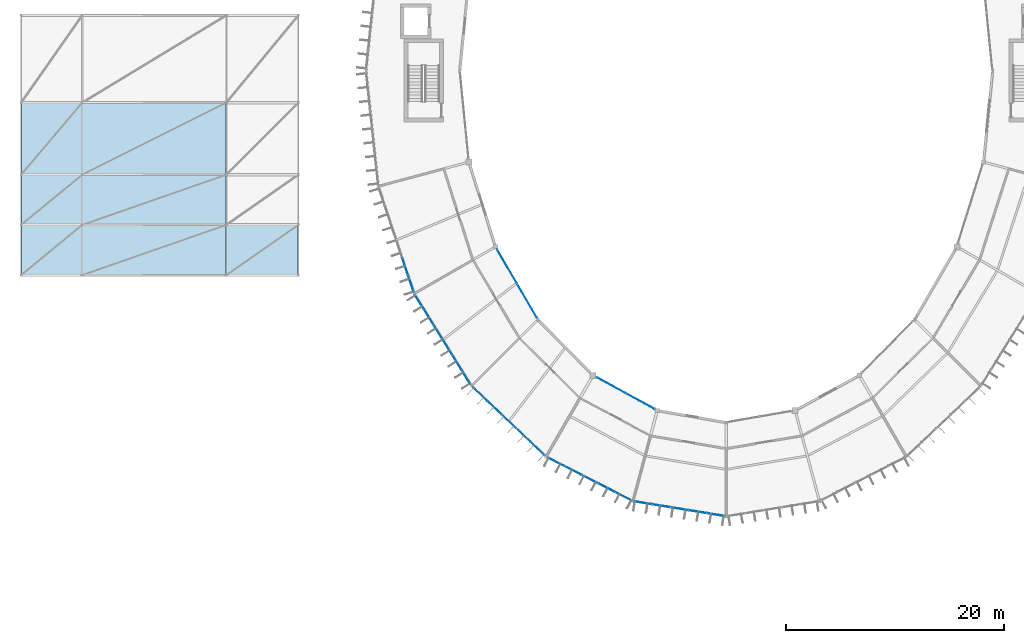
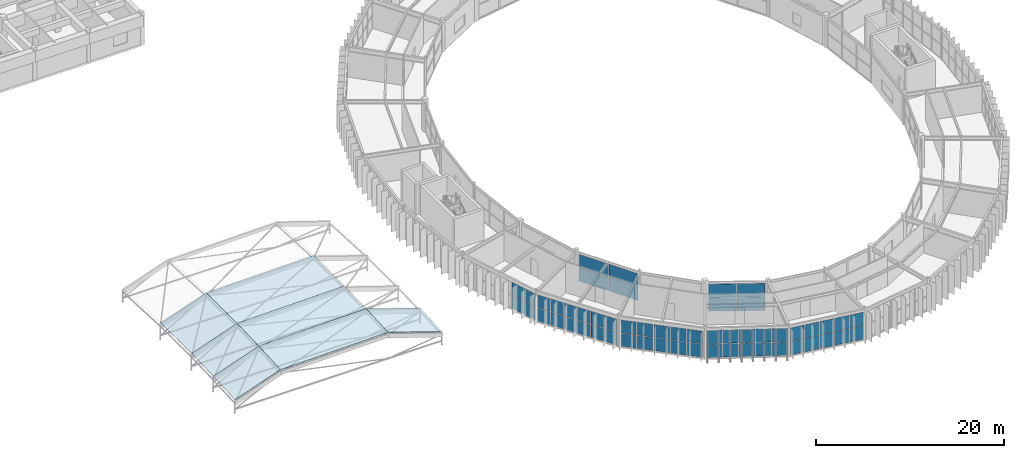
# One storey, part 93 of 134: 54 plates, 7 slabs, 7 elements without a shape of their own.
"""IFC4 building model written with IfcOpenShell, lengths in metres."""

from ifc_helpers import new_model, si_unit, direction, frame, origin, origin_2d, place, context, subcontext, project, spatial, polyline, rectangle, outline, extrude, material, layer, layer_set, type_object, element, aggregate, save


model = new_model("IFC4")

# Units and contexts
model_context = context("Model", 3, precision=1e-05, world=origin(), true_north=direction((0.0, 1.0)))
body_context = subcontext(model_context, "Body", "Model", "MODEL_VIEW")
ifc_project = project(units=[si_unit("LENGTHUNIT", "METRE"), si_unit("AREAUNIT", "SQUARE_METRE"), si_unit("VOLUMEUNIT", "CUBIC_METRE"), si_unit("PLANEANGLEUNIT", "RADIAN"), si_unit("MASSUNIT", "GRAM", prefix="KILO")], contexts=[model_context])

# Site, building, storey
site_placement = place(None, origin())
site = spatial("IfcSite", under=ifc_project, at=site_placement, CompositionType="ELEMENT")
building_placement = place(site_placement, origin())
building = spatial("IfcBuilding", under=site, at=building_placement, Name="Karori Crest Natural Sciences Institute", CompositionType="ELEMENT")
storey_placement = place(building_placement, frame((0.0, 0.0, 21.699951171875)))
storey = spatial("IfcBuildingStorey", under=building, at=storey_placement, Name="L05", CompositionType="ELEMENT", Elevation=21.699951171875)

# Curtain wall, plates
ifc_material_1 = material(Name="Anodised architectural aluminium 6063-T6", Category="aluminium")
curtain_wall_type_1 = type_object("IfcCurtainWallType", Name="CWT-15", PredefinedType="NOTDEFINED", material=ifc_material_1)
curtain_wall_1_placement = place(storey_placement, origin())
curtain_wall_1 = element("IfcCurtainWall", 1, at=curtain_wall_1_placement, inside=storey, type_object=curtain_wall_type_1, Name="Curtain wall CW-0194", PredefinedType="NOTDEFINED")
ifc_material_2 = material(Name="Double low-E laminated glass", Category="glass")
ifc_layer_1 = layer(ifc_material_2, 0.02392578125, Name="Double low-E laminated glass")
ifc_layer_set_1 = layer_set([ifc_layer_1], Name="Double low-E laminated glass")
plate_type_1 = type_object("IfcPlateType", Name="CWP-01", PredefinedType="CURTAIN_PANEL", material=ifc_layer_set_1)
plate_1_placement = place(storey_placement, frame((46.318115234375, 31.995849609375, 0.06005859375), z_axis=(0.0, 0.0, 1.0), x_axis=(0.502654910341, -0.864487154971, 0.0)))
plate_1 = element("IfcPlate", 2, at=plate_1_placement, type_object=plate_type_1, Name="CW-0194 panel 1.1", PredefinedType="CURTAIN_PANEL", context=body_context, shape_type="SweptSolid", body=[
    extrude(rectangle(XDim=3.585205078125, YDim=0.02392578125, at=origin_2d()), origin(), (0.0, 0.0, 1.0), 1.7099609375),
])
plate_2_placement = place(storey_placement, frame((46.318115234375, 31.995849609375, 1.830078125), z_axis=(0.0, 0.0, 1.0), x_axis=(0.502654910341, -0.864487154971, 0.0)))
plate_2 = element("IfcPlate", 3, at=plate_2_placement, type_object=plate_type_1, Name="CW-0194 panel 1.2", PredefinedType="CURTAIN_PANEL", context=body_context, shape_type="SweptSolid", body=[
    extrude(rectangle(XDim=3.585205078125, YDim=0.02392578125, at=origin_2d()), origin(), (0.0, 0.0, 1.0), 1.7099609375),
])
plate_3_placement = place(storey_placement, frame((48.15283203125, 28.84033203125, 0.06005859375), z_axis=(0.0, 0.0, 1.0), x_axis=(0.502654910341, -0.864487154971, 0.0)))
plate_3 = element("IfcPlate", 4, at=plate_3_placement, type_object=plate_type_1, Name="CW-0194 panel 2.1", PredefinedType="CURTAIN_PANEL", context=body_context, shape_type="SweptSolid", body=[
    extrude(rectangle(XDim=3.585205078125, YDim=0.02392578125, at=origin_2d()), origin(), (0.0, 0.0, 1.0), 1.7099609375),
])
plate_4_placement = place(storey_placement, frame((48.15283203125, 28.84033203125, 1.830078125), z_axis=(0.0, 0.0, 1.0), x_axis=(0.502654910341, -0.864487154971, 0.0)))
plate_4 = element("IfcPlate", 5, at=plate_4_placement, type_object=plate_type_1, Name="CW-0194 panel 2.2", PredefinedType="CURTAIN_PANEL", context=body_context, shape_type="SweptSolid", body=[
    extrude(rectangle(XDim=3.585205078125, YDim=0.02392578125, at=origin_2d()), origin(), (0.0, 0.0, 1.0), 1.7099609375),
])
aggregate(curtain_wall_1, [plate_1, plate_2, plate_3, plate_4])

curtain_wall_type_2 = type_object("IfcCurtainWallType", Name="CWT-06", PredefinedType="NOTDEFINED", material=ifc_material_1)
curtain_wall_2_placement = place(storey_placement, origin())
curtain_wall_2 = element("IfcCurtainWall", 6, at=curtain_wall_2_placement, inside=storey, type_object=curtain_wall_type_2, Name="Curtain wall CW-0195", PredefinedType="NOTDEFINED")
plate_5_placement = place(storey_placement, frame((49.1044921875, 15.321044921875, 0.06005859375), z_axis=(0.0, 0.0, 1.0), x_axis=(-0.725471459192, 0.688252251648, 0.0)))
plate_5 = element("IfcPlate", 7, at=plate_5_placement, type_object=plate_type_1, Name="CW-0195 panel 1.1", PredefinedType="CURTAIN_PANEL", context=body_context, shape_type="SweptSolid", body=[
    extrude(rectangle(XDim=1.717041015625, YDim=0.02392578125, at=origin_2d()), origin(), (0.0, 0.0, 1.0), 1.672607421875),
])
plate_6_placement = place(storey_placement, frame((49.1044921875, 15.321044921875, 1.79248046875), z_axis=(0.0, 0.0, 1.0), x_axis=(-0.725471459192, 0.688252251648, 0.0)))
plate_6 = element("IfcPlate", 8, at=plate_6_placement, type_object=plate_type_1, Name="CW-0195 panel 1.2", PredefinedType="CURTAIN_PANEL", context=body_context, shape_type="SweptSolid", body=[
    extrude(rectangle(XDim=1.717041015625, YDim=0.02392578125, at=origin_2d()), origin(), (0.0, 0.0, 1.0), 1.672607421875),
])
plate_7_placement = place(storey_placement, frame((47.799560546875, 16.55859375, 0.06005859375), z_axis=(0.0, 0.0, 1.0), x_axis=(-0.725471459192, 0.688252251648, 0.0)))
plate_7 = element("IfcPlate", 9, at=plate_7_placement, type_object=plate_type_1, Name="CW-0195 panel 2.1", PredefinedType="CURTAIN_PANEL", context=body_context, shape_type="SweptSolid", body=[
    extrude(rectangle(XDim=1.749755859375, YDim=0.02392578125, at=origin_2d()), origin(), (0.0, 0.0, 1.0), 1.672607421875),
])
plate_8_placement = place(storey_placement, frame((47.799560546875, 16.55859375, 1.79248046875), z_axis=(0.0, 0.0, 1.0), x_axis=(-0.725471459192, 0.688252251648, 0.0)))
plate_8 = element("IfcPlate", 10, at=plate_8_placement, type_object=plate_type_1, Name="CW-0195 panel 2.2", PredefinedType="CURTAIN_PANEL", context=body_context, shape_type="SweptSolid", body=[
    extrude(rectangle(XDim=1.749755859375, YDim=0.02392578125, at=origin_2d()), origin(), (0.0, 0.0, 1.0), 1.672607421875),
])
plate_9_placement = place(storey_placement, frame((46.483154296875, 17.8076171875, 0.06005859375), z_axis=(0.0, 0.0, 1.0), x_axis=(-0.725471459192, 0.688252251648, 0.0)))
plate_9 = element("IfcPlate", 11, at=plate_9_placement, type_object=plate_type_1, Name="CW-0195 panel 3.1", PredefinedType="CURTAIN_PANEL", context=body_context, shape_type="SweptSolid", body=[
    extrude(rectangle(XDim=1.749755859375, YDim=0.02392578125, at=origin_2d()), origin(), (0.0, 0.0, 1.0), 1.672607421875),
])
plate_10_placement = place(storey_placement, frame((46.483154296875, 17.8076171875, 1.79248046875), z_axis=(0.0, 0.0, 1.0), x_axis=(-0.725471459192, 0.688252251648, 0.0)))
plate_10 = element("IfcPlate", 12, at=plate_10_placement, type_object=plate_type_1, Name="CW-0195 panel 3.2", PredefinedType="CURTAIN_PANEL", context=body_context, shape_type="SweptSolid", body=[
    extrude(rectangle(XDim=1.749755859375, YDim=0.02392578125, at=origin_2d()), origin(), (0.0, 0.0, 1.0), 1.672607421875),
])
plate_11_placement = place(storey_placement, frame((45.166748046875, 19.056640625, 0.06005859375), z_axis=(0.0, 0.0, 1.0), x_axis=(-0.725471459192, 0.688252251648, 0.0)))
plate_11 = element("IfcPlate", 13, at=plate_11_placement, type_object=plate_type_1, Name="CW-0195 panel 4.1", PredefinedType="CURTAIN_PANEL", context=body_context, shape_type="SweptSolid", body=[
    extrude(rectangle(XDim=1.749755859375, YDim=0.02392578125, at=origin_2d()), origin(), (0.0, 0.0, 1.0), 1.672607421875),
])
plate_12_placement = place(storey_placement, frame((45.166748046875, 19.056640625, 1.79248046875), z_axis=(0.0, 0.0, 1.0), x_axis=(-0.725471459192, 0.688252251648, 0.0)))
plate_12 = element("IfcPlate", 14, at=plate_12_placement, type_object=plate_type_1, Name="CW-0195 panel 4.2", PredefinedType="CURTAIN_PANEL", context=body_context, shape_type="SweptSolid", body=[
    extrude(rectangle(XDim=1.749755859375, YDim=0.02392578125, at=origin_2d()), origin(), (0.0, 0.0, 1.0), 1.672607421875),
])
plate_13_placement = place(storey_placement, frame((43.862060546875, 20.29443359375, 0.06005859375), z_axis=(0.0, 0.0, 1.0), x_axis=(-0.725471459192, 0.688252251648, 0.0)))
plate_13 = element("IfcPlate", 15, at=plate_13_placement, type_object=plate_type_1, Name="CW-0195 panel 5.1", PredefinedType="CURTAIN_PANEL", context=body_context, shape_type="SweptSolid", body=[
    extrude(rectangle(XDim=1.717041015625, YDim=0.02392578125, at=origin_2d()), origin(), (0.0, 0.0, 1.0), 1.672607421875),
])
plate_14_placement = place(storey_placement, frame((43.862060546875, 20.29443359375, 1.79248046875), z_axis=(0.0, 0.0, 1.0), x_axis=(-0.725471459192, 0.688252251648, 0.0)))
plate_14 = element("IfcPlate", 16, at=plate_14_placement, type_object=plate_type_1, Name="CW-0195 panel 5.2", PredefinedType="CURTAIN_PANEL", context=body_context, shape_type="SweptSolid", body=[
    extrude(rectangle(XDim=1.717041015625, YDim=0.02392578125, at=origin_2d()), origin(), (0.0, 0.0, 1.0), 1.672607421875),
])
aggregate(curtain_wall_2, [plate_5, plate_6, plate_7, plate_8, plate_9, plate_10, plate_11, plate_12, plate_13, plate_14])

curtain_wall_type_3 = type_object("IfcCurtainWallType", Name="CWT-12", PredefinedType="NOTDEFINED", material=ifc_material_1)
curtain_wall_3_placement = place(storey_placement, origin())
curtain_wall_3 = element("IfcCurtainWall", 17, at=curtain_wall_3_placement, inside=storey, type_object=curtain_wall_type_3, Name="Curtain wall CW-0197", PredefinedType="NOTDEFINED")
plate_15_placement = place(storey_placement, frame((55.8408203125, 21.116943359375, 0.06005859375), z_axis=(0.0, 0.0, 1.0), x_axis=(0.877470277057, -0.479631017431, 0.0)))
plate_15 = element("IfcPlate", 18, at=plate_15_placement, type_object=plate_type_1, Name="CW-0197 panel 1.1", PredefinedType="CURTAIN_PANEL", context=body_context, shape_type="SweptSolid", body=[
    extrude(rectangle(XDim=2.987060546875, YDim=0.02392578125, at=origin_2d()), origin(), (0.0, 0.0, 1.0), 1.735107421875),
])
plate_16_placement = place(storey_placement, frame((55.8408203125, 21.116943359375, 1.85498046875), z_axis=(0.0, 0.0, 1.0), x_axis=(0.877470277057, -0.479631017431, 0.0)))
plate_16 = element("IfcPlate", 19, at=plate_16_placement, type_object=plate_type_1, Name="CW-0197 panel 1.2", PredefinedType="CURTAIN_PANEL", context=body_context, shape_type="SweptSolid", body=[
    extrude(rectangle(XDim=2.987060546875, YDim=0.02392578125, at=origin_2d()), origin(), (0.0, 0.0, 1.0), 1.735107421875),
])
plate_17_placement = place(storey_placement, frame((58.51904296875, 19.653076171875, 0.06005859375), z_axis=(0.0, 0.0, 1.0), x_axis=(0.877470277057, -0.479631017431, 0.0)))
plate_17 = element("IfcPlate", 20, at=plate_17_placement, type_object=plate_type_1, Name="CW-0197 panel 2.1", PredefinedType="CURTAIN_PANEL", context=body_context, shape_type="SweptSolid", body=[
    extrude(rectangle(XDim=2.987060546875, YDim=0.02392578125, at=origin_2d()), origin(), (0.0, 0.0, 1.0), 1.735107421875),
])
plate_18_placement = place(storey_placement, frame((58.51904296875, 19.653076171875, 1.85498046875), z_axis=(0.0, 0.0, 1.0), x_axis=(0.877470277057, -0.479631017431, 0.0)))
plate_18 = element("IfcPlate", 21, at=plate_18_placement, type_object=plate_type_1, Name="CW-0197 panel 2.2", PredefinedType="CURTAIN_PANEL", context=body_context, shape_type="SweptSolid", body=[
    extrude(rectangle(XDim=2.987060546875, YDim=0.02392578125, at=origin_2d()), origin(), (0.0, 0.0, 1.0), 1.735107421875),
])
aggregate(curtain_wall_3, [plate_15, plate_16, plate_17, plate_18])

curtain_wall_type_4 = type_object("IfcCurtainWallType", Name="CWT-04", PredefinedType="NOTDEFINED", material=ifc_material_1)
curtain_wall_4_placement = place(storey_placement, origin())
curtain_wall_4 = element("IfcCurtainWall", 22, at=curtain_wall_4_placement, inside=storey, type_object=curtain_wall_type_4, Name="Curtain wall CW-0192", PredefinedType="NOTDEFINED")
ifc_layer_2 = layer(ifc_material_2, 0.033935546875, Name="Double low-E laminated glass")
ifc_layer_set_2 = layer_set([ifc_layer_2], Name="Double low-E laminated glass")
plate_type_2 = type_object("IfcPlateType", Name="CWP-02", PredefinedType="CURTAIN_PANEL", material=ifc_layer_set_2)
plate_19_placement = place(storey_placement, frame((37.5205078125, 30.3974609375, 0.06005859375), z_axis=(0.0, 0.0, 1.0), x_axis=(-0.317679803392, 0.94819805026, 0.0)))
plate_19 = element("IfcPlate", 23, at=plate_19_placement, type_object=plate_type_2, Name="CW-0192 panel 1.1", PredefinedType="CURTAIN_PANEL", context=body_context, shape_type="SweptSolid", body=[
    extrude(rectangle(XDim=1.59619140625, YDim=0.033935546875, at=origin_2d()), origin(), (0.0, 0.0, 1.0), 1.672607421875),
])
plate_20_placement = place(storey_placement, frame((37.5205078125, 30.3974609375, 1.79248046875), z_axis=(0.0, 0.0, 1.0), x_axis=(-0.317679803392, 0.94819805026, 0.0)))
plate_20 = element("IfcPlate", 24, at=plate_20_placement, type_object=plate_type_2, Name="CW-0192 panel 1.2", PredefinedType="CURTAIN_PANEL", context=body_context, shape_type="SweptSolid", body=[
    extrude(rectangle(XDim=1.59619140625, YDim=0.033935546875, at=origin_2d()), origin(), (0.0, 0.0, 1.0), 1.672607421875),
])
plate_21_placement = place(storey_placement, frame((36.987548828125, 31.988037109375, 0.06005859375), z_axis=(0.0, 0.0, 1.0), x_axis=(-0.317679803392, 0.94819805026, 0.0)))
plate_21 = element("IfcPlate", 25, at=plate_21_placement, type_object=plate_type_2, Name="CW-0192 panel 2.1", PredefinedType="CURTAIN_PANEL", context=body_context, shape_type="SweptSolid", body=[
    extrude(rectangle(XDim=1.628662109375, YDim=0.033935546875, at=origin_2d()), origin(), (0.0, 0.0, 1.0), 1.672607421875),
])
plate_22_placement = place(storey_placement, frame((36.987548828125, 31.988037109375, 1.79248046875), z_axis=(0.0, 0.0, 1.0), x_axis=(-0.317679803392, 0.94819805026, 0.0)))
plate_22 = element("IfcPlate", 26, at=plate_22_placement, type_object=plate_type_2, Name="CW-0192 panel 2.2", PredefinedType="CURTAIN_PANEL", context=body_context, shape_type="SweptSolid", body=[
    extrude(rectangle(XDim=1.628662109375, YDim=0.033935546875, at=origin_2d()), origin(), (0.0, 0.0, 1.0), 1.672607421875),
])
aggregate(curtain_wall_4, [plate_19, plate_20, plate_21, plate_22])

curtain_wall_type_5 = type_object("IfcCurtainWallType", Name="CWT-07", PredefinedType="NOTDEFINED", material=ifc_material_1)
curtain_wall_5_placement = place(storey_placement, origin())
curtain_wall_5 = element("IfcCurtainWall", 27, at=curtain_wall_5_placement, inside=storey, type_object=curtain_wall_type_5, Name="Curtain wall CW-0196", PredefinedType="NOTDEFINED")
plate_23_placement = place(storey_placement, frame((56.993408203125, 10.933349609375, 0.06494140625), z_axis=(0.0, 0.0, 1.0), x_axis=(-0.890067432138, 0.455828878252, 0.0)))
plate_23 = element("IfcPlate", 28, at=plate_23_placement, type_object=plate_type_2, Name="CW-0196 panel 1.1", PredefinedType="CURTAIN_PANEL", context=body_context, shape_type="SweptSolid", body=[
    extrude(rectangle(XDim=1.645751953125, YDim=0.033935546875, at=origin_2d()), origin(), (0.0, 0.0, 1.0), 1.715087890625),
])
plate_24_placement = place(storey_placement, frame((56.993408203125, 10.933349609375, 1.84521484375), z_axis=(0.0, 0.0, 1.0), x_axis=(-0.890067432138, 0.455828878252, 0.0)))
plate_24 = element("IfcPlate", 29, at=plate_24_placement, type_object=plate_type_2, Name="CW-0196 panel 1.2", PredefinedType="CURTAIN_PANEL", context=body_context, shape_type="SweptSolid", body=[
    extrude(rectangle(XDim=1.645751953125, YDim=0.033935546875, at=origin_2d()), origin(), (0.0, 0.0, 1.0), 1.715087890625),
])
plate_25_placement = place(storey_placement, frame((55.456298828125, 11.720703125, 0.06494140625), z_axis=(0.0, 0.0, 1.0), x_axis=(-0.890067432138, 0.455828878252, 0.0)))
plate_25 = element("IfcPlate", 30, at=plate_25_placement, type_object=plate_type_2, Name="CW-0196 panel 2.1", PredefinedType="CURTAIN_PANEL", context=body_context, shape_type="SweptSolid", body=[
    extrude(rectangle(XDim=1.678466796875, YDim=0.033935546875, at=origin_2d()), origin(), (0.0, 0.0, 1.0), 1.715087890625),
])
plate_26_placement = place(storey_placement, frame((55.456298828125, 11.720703125, 1.84521484375), z_axis=(0.0, 0.0, 1.0), x_axis=(-0.890067432138, 0.455828878252, 0.0)))
plate_26 = element("IfcPlate", 31, at=plate_26_placement, type_object=plate_type_2, Name="CW-0196 panel 2.2", PredefinedType="CURTAIN_PANEL", context=body_context, shape_type="SweptSolid", body=[
    extrude(rectangle(XDim=1.678466796875, YDim=0.033935546875, at=origin_2d()), origin(), (0.0, 0.0, 1.0), 1.715087890625),
])
plate_27_placement = place(storey_placement, frame((53.904541015625, 12.515380859375, 0.06494140625), z_axis=(0.0, 0.0, 1.0), x_axis=(-0.890067432138, 0.455828878252, 0.0)))
plate_27 = element("IfcPlate", 32, at=plate_27_placement, type_object=plate_type_2, Name="CW-0196 panel 3.1", PredefinedType="CURTAIN_PANEL", context=body_context, shape_type="SweptSolid", body=[
    extrude(rectangle(XDim=1.678466796875, YDim=0.033935546875, at=origin_2d()), origin(), (0.0, 0.0, 1.0), 1.715087890625),
])
plate_28_placement = place(storey_placement, frame((53.904541015625, 12.515380859375, 1.84521484375), z_axis=(0.0, 0.0, 1.0), x_axis=(-0.890067432138, 0.455828878252, 0.0)))
plate_28 = element("IfcPlate", 33, at=plate_28_placement, type_object=plate_type_2, Name="CW-0196 panel 3.2", PredefinedType="CURTAIN_PANEL", context=body_context, shape_type="SweptSolid", body=[
    extrude(rectangle(XDim=1.678466796875, YDim=0.033935546875, at=origin_2d()), origin(), (0.0, 0.0, 1.0), 1.715087890625),
])
plate_29_placement = place(storey_placement, frame((52.352783203125, 13.31005859375, 0.06494140625), z_axis=(0.0, 0.0, 1.0), x_axis=(-0.890067432138, 0.455828878252, 0.0)))
plate_29 = element("IfcPlate", 34, at=plate_29_placement, type_object=plate_type_2, Name="CW-0196 panel 4.1", PredefinedType="CURTAIN_PANEL", context=body_context, shape_type="SweptSolid", body=[
    extrude(rectangle(XDim=1.678466796875, YDim=0.033935546875, at=origin_2d()), origin(), (0.0, 0.0, 1.0), 1.715087890625),
])
plate_30_placement = place(storey_placement, frame((52.352783203125, 13.31005859375, 1.84521484375), z_axis=(0.0, 0.0, 1.0), x_axis=(-0.890067432138, 0.455828878252, 0.0)))
plate_30 = element("IfcPlate", 35, at=plate_30_placement, type_object=plate_type_2, Name="CW-0196 panel 4.2", PredefinedType="CURTAIN_PANEL", context=body_context, shape_type="SweptSolid", body=[
    extrude(rectangle(XDim=1.678466796875, YDim=0.033935546875, at=origin_2d()), origin(), (0.0, 0.0, 1.0), 1.715087890625),
])
plate_31_placement = place(storey_placement, frame((50.8154296875, 14.097412109375, 0.06494140625), z_axis=(0.0, 0.0, 1.0), x_axis=(-0.890067432138, 0.455828878252, 0.0)))
plate_31 = element("IfcPlate", 36, at=plate_31_placement, type_object=plate_type_2, Name="CW-0196 panel 5.1", PredefinedType="CURTAIN_PANEL", context=body_context, shape_type="SweptSolid", body=[
    extrude(rectangle(XDim=1.645751953125, YDim=0.033935546875, at=origin_2d()), origin(), (0.0, 0.0, 1.0), 1.715087890625),
])
plate_32_placement = place(storey_placement, frame((50.8154296875, 14.097412109375, 1.84521484375), z_axis=(0.0, 0.0, 1.0), x_axis=(-0.890067432138, 0.455828878252, 0.0)))
plate_32 = element("IfcPlate", 37, at=plate_32_placement, type_object=plate_type_2, Name="CW-0196 panel 5.2", PredefinedType="CURTAIN_PANEL", context=body_context, shape_type="SweptSolid", body=[
    extrude(rectangle(XDim=1.645751953125, YDim=0.033935546875, at=origin_2d()), origin(), (0.0, 0.0, 1.0), 1.715087890625),
])
aggregate(curtain_wall_5, [plate_23, plate_24, plate_25, plate_26, plate_27, plate_28, plate_29, plate_30, plate_31, plate_32])

curtain_wall_type_6 = type_object("IfcCurtainWallType", Name="CWT-05", PredefinedType="NOTDEFINED", material=ifc_material_1)
curtain_wall_6_placement = place(storey_placement, origin())
curtain_wall_6 = element("IfcCurtainWall", 38, at=curtain_wall_6_placement, inside=storey, type_object=curtain_wall_type_6, Name="Curtain wall CW-0193", PredefinedType="NOTDEFINED")
ifc_layer_3 = layer(ifc_material_2, 0.0439453125, Name="Double low-E laminated glass")
ifc_layer_set_3 = layer_set([ifc_layer_3], Name="Double low-E laminated glass")
plate_type_3 = type_object("IfcPlateType", Name="CWP-03", PredefinedType="CURTAIN_PANEL", material=ifc_layer_set_3)
plate_33_placement = place(storey_placement, frame((42.551025390625, 21.87890625, 0.06494140625), z_axis=(0.0, 0.0, 1.0), x_axis=(-0.527327706489, 0.849661985715, 0.0)))
plate_33 = element("IfcPlate", 39, at=plate_33_placement, type_object=plate_type_3, Name="CW-0193 panel 1.1", PredefinedType="CURTAIN_PANEL", context=body_context, shape_type="SweptSolid", body=[
    extrude(rectangle(XDim=1.519287109375, YDim=0.0439453125, at=origin_2d()), origin(), (0.0, 0.0, 1.0), 1.6650390625),
])
plate_34_placement = place(storey_placement, frame((42.551025390625, 21.87890625, 1.794921875), z_axis=(0.0, 0.0, 1.0), x_axis=(-0.527327706489, 0.849661985715, 0.0)))
plate_34 = element("IfcPlate", 40, at=plate_34_placement, type_object=plate_type_3, Name="CW-0193 panel 1.2", PredefinedType="CURTAIN_PANEL", context=body_context, shape_type="SweptSolid", body=[
    extrude(rectangle(XDim=1.519287109375, YDim=0.0439453125, at=origin_2d()), origin(), (0.0, 0.0, 1.0), 1.6650390625),
])
plate_35_placement = place(storey_placement, frame((41.70703125, 23.239013671875, 0.06494140625), z_axis=(0.0, 0.0, 1.0), x_axis=(-0.527327706489, 0.849661985715, 0.0)))
plate_35 = element("IfcPlate", 41, at=plate_35_placement, type_object=plate_type_3, Name="CW-0193 panel 2.1", PredefinedType="CURTAIN_PANEL", context=body_context, shape_type="SweptSolid", body=[
    extrude(rectangle(XDim=1.5517578125, YDim=0.0439453125, at=origin_2d()), origin(), (0.0, 0.0, 1.0), 1.6650390625),
])
plate_36_placement = place(storey_placement, frame((41.70703125, 23.239013671875, 1.794921875), z_axis=(0.0, 0.0, 1.0), x_axis=(-0.527327706489, 0.849661985715, 0.0)))
plate_36 = element("IfcPlate", 42, at=plate_36_placement, type_object=plate_type_3, Name="CW-0193 panel 2.2", PredefinedType="CURTAIN_PANEL", context=body_context, shape_type="SweptSolid", body=[
    extrude(rectangle(XDim=1.5517578125, YDim=0.0439453125, at=origin_2d()), origin(), (0.0, 0.0, 1.0), 1.6650390625),
])
plate_37_placement = place(storey_placement, frame((40.8544921875, 24.612548828125, 0.06494140625), z_axis=(0.0, 0.0, 1.0), x_axis=(-0.527327706489, 0.849661985715, 0.0)))
plate_37 = element("IfcPlate", 43, at=plate_37_placement, type_object=plate_type_3, Name="CW-0193 panel 3.1", PredefinedType="CURTAIN_PANEL", context=body_context, shape_type="SweptSolid", body=[
    extrude(rectangle(XDim=1.5517578125, YDim=0.0439453125, at=origin_2d()), origin(), (0.0, 0.0, 1.0), 1.6650390625),
])
plate_38_placement = place(storey_placement, frame((40.8544921875, 24.612548828125, 1.794921875), z_axis=(0.0, 0.0, 1.0), x_axis=(-0.527327706489, 0.849661985715, 0.0)))
plate_38 = element("IfcPlate", 44, at=plate_38_placement, type_object=plate_type_3, Name="CW-0193 panel 3.2", PredefinedType="CURTAIN_PANEL", context=body_context, shape_type="SweptSolid", body=[
    extrude(rectangle(XDim=1.5517578125, YDim=0.0439453125, at=origin_2d()), origin(), (0.0, 0.0, 1.0), 1.6650390625),
])
plate_39_placement = place(storey_placement, frame((40.001953125, 25.986328125, 0.06494140625), z_axis=(0.0, 0.0, 1.0), x_axis=(-0.527327706489, 0.849661985715, 0.0)))
plate_39 = element("IfcPlate", 45, at=plate_39_placement, type_object=plate_type_3, Name="CW-0193 panel 4.1", PredefinedType="CURTAIN_PANEL", context=body_context, shape_type="SweptSolid", body=[
    extrude(rectangle(XDim=1.5517578125, YDim=0.0439453125, at=origin_2d()), origin(), (0.0, 0.0, 1.0), 1.6650390625),
])
plate_40_placement = place(storey_placement, frame((40.001953125, 25.986328125, 1.794921875), z_axis=(0.0, 0.0, 1.0), x_axis=(-0.527327706489, 0.849661985715, 0.0)))
plate_40 = element("IfcPlate", 46, at=plate_40_placement, type_object=plate_type_3, Name="CW-0193 panel 4.2", PredefinedType="CURTAIN_PANEL", context=body_context, shape_type="SweptSolid", body=[
    extrude(rectangle(XDim=1.5517578125, YDim=0.0439453125, at=origin_2d()), origin(), (0.0, 0.0, 1.0), 1.6650390625),
])
plate_41_placement = place(storey_placement, frame((39.149169921875, 27.360107421875, 0.06494140625), z_axis=(0.0, 0.0, 1.0), x_axis=(-0.527327706489, 0.849661985715, 0.0)))
plate_41 = element("IfcPlate", 47, at=plate_41_placement, type_object=plate_type_3, Name="CW-0193 panel 5.1", PredefinedType="CURTAIN_PANEL", context=body_context, shape_type="SweptSolid", body=[
    extrude(rectangle(XDim=1.5517578125, YDim=0.0439453125, at=origin_2d()), origin(), (0.0, 0.0, 1.0), 1.6650390625),
])
plate_42_placement = place(storey_placement, frame((39.149169921875, 27.360107421875, 1.794921875), z_axis=(0.0, 0.0, 1.0), x_axis=(-0.527327706489, 0.849661985715, 0.0)))
plate_42 = element("IfcPlate", 48, at=plate_42_placement, type_object=plate_type_3, Name="CW-0193 panel 5.2", PredefinedType="CURTAIN_PANEL", context=body_context, shape_type="SweptSolid", body=[
    extrude(rectangle(XDim=1.5517578125, YDim=0.0439453125, at=origin_2d()), origin(), (0.0, 0.0, 1.0), 1.6650390625),
])
plate_43_placement = place(storey_placement, frame((38.30517578125, 28.719970703125, 0.06494140625), z_axis=(0.0, 0.0, 1.0), x_axis=(-0.527327706489, 0.849661985715, 0.0)))
plate_43 = element("IfcPlate", 49, at=plate_43_placement, type_object=plate_type_3, Name="CW-0193 panel 6.1", PredefinedType="CURTAIN_PANEL", context=body_context, shape_type="SweptSolid", body=[
    extrude(rectangle(XDim=1.519287109375, YDim=0.0439453125, at=origin_2d()), origin(), (0.0, 0.0, 1.0), 1.6650390625),
])
plate_44_placement = place(storey_placement, frame((38.30517578125, 28.719970703125, 1.794921875), z_axis=(0.0, 0.0, 1.0), x_axis=(-0.527327706489, 0.849661985715, 0.0)))
plate_44 = element("IfcPlate", 50, at=plate_44_placement, type_object=plate_type_3, Name="CW-0193 panel 6.2", PredefinedType="CURTAIN_PANEL", context=body_context, shape_type="SweptSolid", body=[
    extrude(rectangle(XDim=1.519287109375, YDim=0.0439453125, at=origin_2d()), origin(), (0.0, 0.0, 1.0), 1.6650390625),
])
aggregate(curtain_wall_6, [plate_33, plate_34, plate_35, plate_36, plate_37, plate_38, plate_39, plate_40, plate_41, plate_42, plate_43, plate_44])

curtain_wall_type_7 = type_object("IfcCurtainWallType", Name="CWT-08", PredefinedType="NOTDEFINED", material=ifc_material_1)
curtain_wall_7_placement = place(storey_placement, origin())
curtain_wall_7 = element("IfcCurtainWall", 51, at=curtain_wall_7_placement, inside=storey, type_object=curtain_wall_type_7, Name="Curtain wall CW-0198", PredefinedType="NOTDEFINED")
plate_45_placement = place(storey_placement, frame((65.424072265625, 9.2587890625, 0.06005859375), z_axis=(0.0, 0.0, 1.0), x_axis=(-0.987010543275, 0.160655493101, 0.0)))
plate_45 = element("IfcPlate", 52, at=plate_45_placement, type_object=plate_type_3, Name="CW-0198 panel 1.1", PredefinedType="CURTAIN_PANEL", context=body_context, shape_type="SweptSolid", body=[
    extrude(rectangle(XDim=1.592529296875, YDim=0.0439453125, at=origin_2d()), origin(), (0.0, 0.0, 1.0), 1.722412109375),
])
plate_46_placement = place(storey_placement, frame((65.424072265625, 9.2587890625, 1.8427734375), z_axis=(0.0, 0.0, 1.0), x_axis=(-0.987010543275, 0.160655493101, 0.0)))
plate_46 = element("IfcPlate", 53, at=plate_46_placement, type_object=plate_type_3, Name="CW-0198 panel 1.2", PredefinedType="CURTAIN_PANEL", context=body_context, shape_type="SweptSolid", body=[
    extrude(rectangle(XDim=1.592529296875, YDim=0.0439453125, at=origin_2d()), origin(), (0.0, 0.0, 1.0), 1.722412109375),
])
plate_47_placement = place(storey_placement, frame((63.77197265625, 9.52783203125, 0.06005859375), z_axis=(0.0, 0.0, 1.0), x_axis=(-0.987010543275, 0.160655493101, 0.0)))
plate_47 = element("IfcPlate", 54, at=plate_47_placement, type_object=plate_type_3, Name="CW-0198 panel 2.1", PredefinedType="CURTAIN_PANEL", context=body_context, shape_type="SweptSolid", body=[
    extrude(rectangle(XDim=1.625, YDim=0.0439453125, at=origin_2d()), origin(), (0.0, 0.0, 1.0), 1.722412109375),
])
plate_48_placement = place(storey_placement, frame((63.77197265625, 9.52783203125, 1.8427734375), z_axis=(0.0, 0.0, 1.0), x_axis=(-0.987010543275, 0.160655493101, 0.0)))
plate_48 = element("IfcPlate", 55, at=plate_48_placement, type_object=plate_type_3, Name="CW-0198 panel 2.2", PredefinedType="CURTAIN_PANEL", context=body_context, shape_type="SweptSolid", body=[
    extrude(rectangle(XDim=1.625, YDim=0.0439453125, at=origin_2d()), origin(), (0.0, 0.0, 1.0), 1.722412109375),
])
plate_49_placement = place(storey_placement, frame((62.10400390625, 9.79931640625, 0.06005859375), z_axis=(0.0, 0.0, 1.0), x_axis=(-0.987010543275, 0.160655493101, 0.0)))
plate_49 = element("IfcPlate", 56, at=plate_49_placement, type_object=plate_type_3, Name="CW-0198 panel 3.1", PredefinedType="CURTAIN_PANEL", context=body_context, shape_type="SweptSolid", body=[
    extrude(rectangle(XDim=1.625, YDim=0.0439453125, at=origin_2d()), origin(), (0.0, 0.0, 1.0), 1.722412109375),
])
plate_50_placement = place(storey_placement, frame((62.10400390625, 9.79931640625, 1.8427734375), z_axis=(0.0, 0.0, 1.0), x_axis=(-0.987010543275, 0.160655493101, 0.0)))
plate_50 = element("IfcPlate", 57, at=plate_50_placement, type_object=plate_type_3, Name="CW-0198 panel 3.2", PredefinedType="CURTAIN_PANEL", context=body_context, shape_type="SweptSolid", body=[
    extrude(rectangle(XDim=1.625, YDim=0.0439453125, at=origin_2d()), origin(), (0.0, 0.0, 1.0), 1.722412109375),
])
plate_51_placement = place(storey_placement, frame((60.43603515625, 10.07080078125, 0.06005859375), z_axis=(0.0, 0.0, 1.0), x_axis=(-0.987010543275, 0.160655493101, 0.0)))
plate_51 = element("IfcPlate", 58, at=plate_51_placement, type_object=plate_type_3, Name="CW-0198 panel 4.1", PredefinedType="CURTAIN_PANEL", context=body_context, shape_type="SweptSolid", body=[
    extrude(rectangle(XDim=1.625, YDim=0.0439453125, at=origin_2d()), origin(), (0.0, 0.0, 1.0), 1.722412109375),
])
plate_52_placement = place(storey_placement, frame((60.43603515625, 10.07080078125, 1.8427734375), z_axis=(0.0, 0.0, 1.0), x_axis=(-0.987010543275, 0.160655493101, 0.0)))
plate_52 = element("IfcPlate", 59, at=plate_52_placement, type_object=plate_type_3, Name="CW-0198 panel 4.2", PredefinedType="CURTAIN_PANEL", context=body_context, shape_type="SweptSolid", body=[
    extrude(rectangle(XDim=1.625, YDim=0.0439453125, at=origin_2d()), origin(), (0.0, 0.0, 1.0), 1.722412109375),
])
plate_53_placement = place(storey_placement, frame((58.783935546875, 10.339599609375, 0.06005859375), z_axis=(0.0, 0.0, 1.0), x_axis=(-0.987010543275, 0.160655493101, 0.0)))
plate_53 = element("IfcPlate", 60, at=plate_53_placement, type_object=plate_type_3, Name="CW-0198 panel 5.1", PredefinedType="CURTAIN_PANEL", context=body_context, shape_type="SweptSolid", body=[
    extrude(rectangle(XDim=1.592529296875, YDim=0.0439453125, at=origin_2d()), origin(), (0.0, 0.0, 1.0), 1.722412109375),
])
plate_54_placement = place(storey_placement, frame((58.783935546875, 10.339599609375, 1.8427734375), z_axis=(0.0, 0.0, 1.0), x_axis=(-0.987010543275, 0.160655493101, 0.0)))
plate_54 = element("IfcPlate", 61, at=plate_54_placement, type_object=plate_type_3, Name="CW-0198 panel 5.2", PredefinedType="CURTAIN_PANEL", context=body_context, shape_type="SweptSolid", body=[
    extrude(rectangle(XDim=1.592529296875, YDim=0.0439453125, at=origin_2d()), origin(), (0.0, 0.0, 1.0), 1.722412109375),
])
aggregate(curtain_wall_7, [plate_45, plate_46, plate_47, plate_48, plate_49, plate_50, plate_51, plate_52, plate_53, plate_54])

# Slabs
ifc_material_3 = material(Name="Glulam GL12 insulated roof panel", Category="wood")
ifc_layer_4 = layer(ifc_material_3, 0.1201171875, Name="Glulam GL12 insulated roof panel")
ifc_layer_set_4 = layer_set([ifc_layer_4], Name="Glulam GL12 insulated roof panel")
slab_type = type_object("IfcSlabType", Name="SLT-15", PredefinedType="ROOF", material=ifc_layer_set_4)
slab_1_placement = place(storey_placement, frame((1.82275390625, 31.2041015625, 1.358154296875), z_axis=(-0.32978752973, -0.052622119352, 0.942587448351), x_axis=(0.943895218511, 0.0, 0.330245085462)))
element("IfcSlab", 62, at=slab_1_placement, inside=storey, type_object=slab_type, Name="V3 Gridshell roof SL-0139", PredefinedType="ROOF", context=body_context, shape_type="SweptSolid", body=[
    extrude(outline(polyline([(0.0, 0.0), (5.884597411285281, 0.0), (5.969254964931573, 4.59816765252587), (0.08465755364629204, 4.598167652525869), (0.0, 0.0)])), origin(), (0.0, 0.0, -1.0), 0.1201171875),
])
slab_2_placement = place(storey_placement, frame((7.424072265625, 31.2041015625, 3.31005859375), z_axis=(-0.017632715786, -0.055705389739, 0.998291539025), x_axis=(0.999844048118, -5.16072e-07, 0.017660108789)))
element("IfcSlab", 63, at=slab_2_placement, inside=storey, type_object=slab_type, Name="V3 Gridshell roof SL-0140", PredefinedType="ROOF", context=body_context, shape_type="SweptSolid", body=[
    extrude(outline(polyline([(0.0, 0.0), (13.153904696187308, 3.469446951953614e-18), (13.158429453988541, 4.5989446804502), (0.004520446251236061, 4.598931082620249), (0.0, 0.0)])), origin(), (0.0, 0.0, -1.0), 0.1201171875),
])
slab_3_placement = place(storey_placement, frame((20.622802734375, 31.2041015625, 3.53515625), z_axis=(0.314799855414, -0.052906557254, 0.947682408421), x_axis=(0.94901153005, 0.0, -0.315241361232)))
element("IfcSlab", 64, at=slab_3_placement, inside=storey, type_object=slab_type, Name="V3 Gridshell roof SL-0141", PredefinedType="ROOF", context=body_context, shape_type="SweptSolid", body=[
    extrude(outline(polyline([(0.0, 0.0), (6.906600343439938, -1.3877787807814457e-17), (6.8257889593351075, 4.598236855831124), (-0.08081138410483069, 4.598236855831124), (0.0, 0.0)])), origin(), (0.0, 0.0, -1.0), 0.1201171875),
])
slab_4_placement = place(storey_placement, frame((1.82275390625, 35.803955078125, 1.61474609375), z_axis=(-0.330074536463, -0.033828941839, 0.943348505629), x_axis=(0.94388874471, 6.61985e-07, 0.330263588077)))
element("IfcSlab", 65, at=slab_4_placement, inside=storey, type_object=slab_type, Name="V3 Gridshell roof SL-0142", PredefinedType="ROOF", context=body_context, shape_type="SweptSolid", body=[
    extrude(outline(polyline([(0.0, 0.0), (5.884678040912201, 3.469446951953614e-17), (5.939026212209504, 4.594666898895747), (0.05442880205611188, 4.594674694437481), (0.0, 0.0)])), origin(), (0.0, 0.0, -1.0), 0.1201171875),
])
slab_5_placement = place(storey_placement, frame((7.424072265625, 35.803955078125, 3.566650390625), z_axis=(-0.017658051299, -0.035858396718, 0.999200864996), x_axis=(0.999843883704, 0.0, 0.017669414837)))
element("IfcSlab", 66, at=slab_5_placement, inside=storey, type_object=slab_type, Name="V3 Gridshell roof SL-0143", PredefinedType="ROOF", context=body_context, shape_type="SweptSolid", body=[
    extrude(outline(polyline([(0.0, 0.0), (13.153909008308814, 0.0), (13.156820838146505, 4.594996145450512), (0.0029118298376909976, 4.594996145450512), (0.0, 0.0)])), origin(), (0.0, 0.0, -1.0), 0.1201171875),
])
slab_6_placement = place(storey_placement, frame((1.82275390625, 40.404052734375, 1.779541015625), z_axis=(-0.330260538768, 0.004282260359, 0.943880097671), x_axis=(0.943888751992, -8.3845e-08, 0.330263567267)))
element("IfcSlab", 67, at=slab_6_placement, inside=storey, type_object=slab_type, Name="V3 Gridshell roof SL-0145", PredefinedType="ROOF", context=body_context, shape_type="SweptSolid", body=[
    extrude(outline(polyline([(0.0, 0.0), (5.884678040910931, -1.734723475976807e-18), (5.874759905492706, 6.592101950642704), (-0.009837504664497634, 6.592100963838578), (0.0, 0.0)])), origin(), (0.0, 0.0, -1.0), 0.1201171875),
])
slab_7_placement = place(storey_placement, frame((7.424072265625, 40.404052734375, 3.7314453125), z_axis=(-0.017669231564, 0.004554628425, 0.999833512949), x_axis=(0.999843883704, 0.0, 0.017669414837)))
element("IfcSlab", 68, at=slab_7_placement, inside=storey, type_object=slab_type, Name="V3 Gridshell roof SL-0146", PredefinedType="ROOF", context=body_context, shape_type="SweptSolid", body=[
    extrude(outline(polyline([(0.0, 0.0), (13.153909008308814, 0.0), (13.153378408205057, 6.592109391447977), (-0.0005306001037570263, 6.592109391447977), (0.0, 0.0)])), origin(), (0.0, 0.0, -1.0), 0.1201171875),
])

save(model, "model.ifc")
